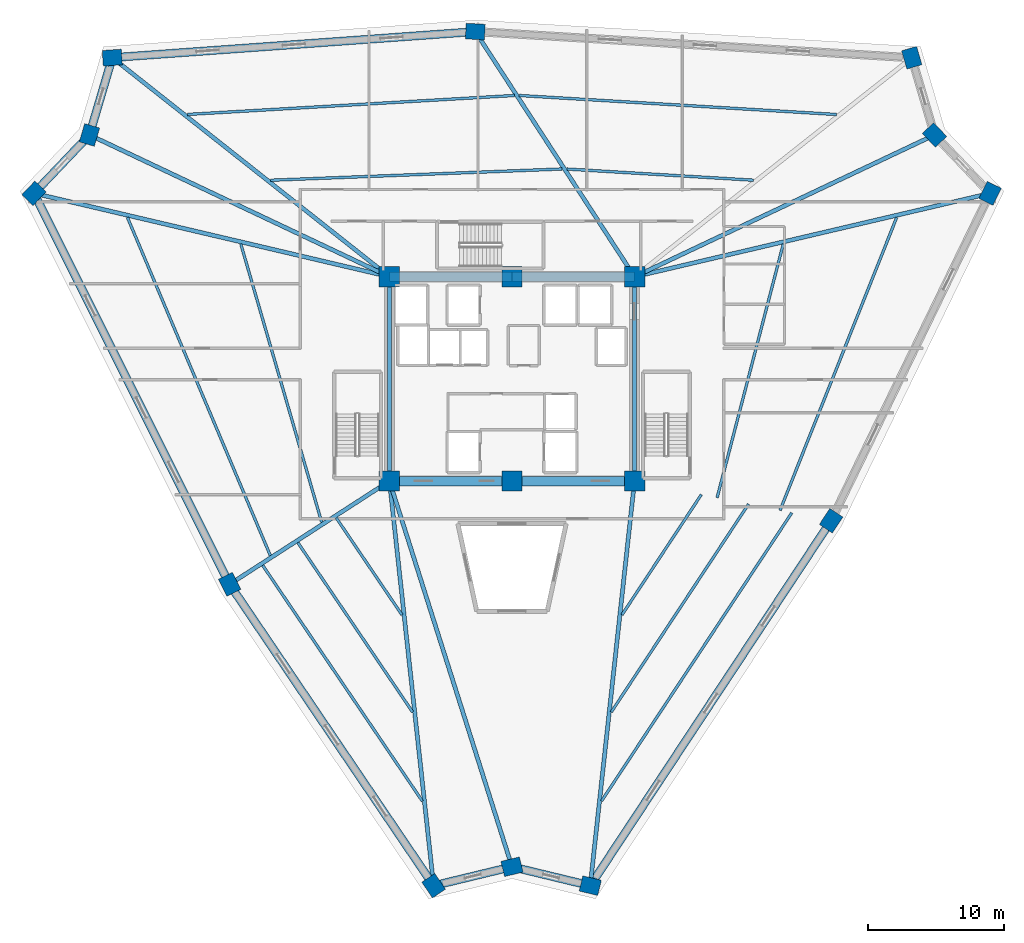
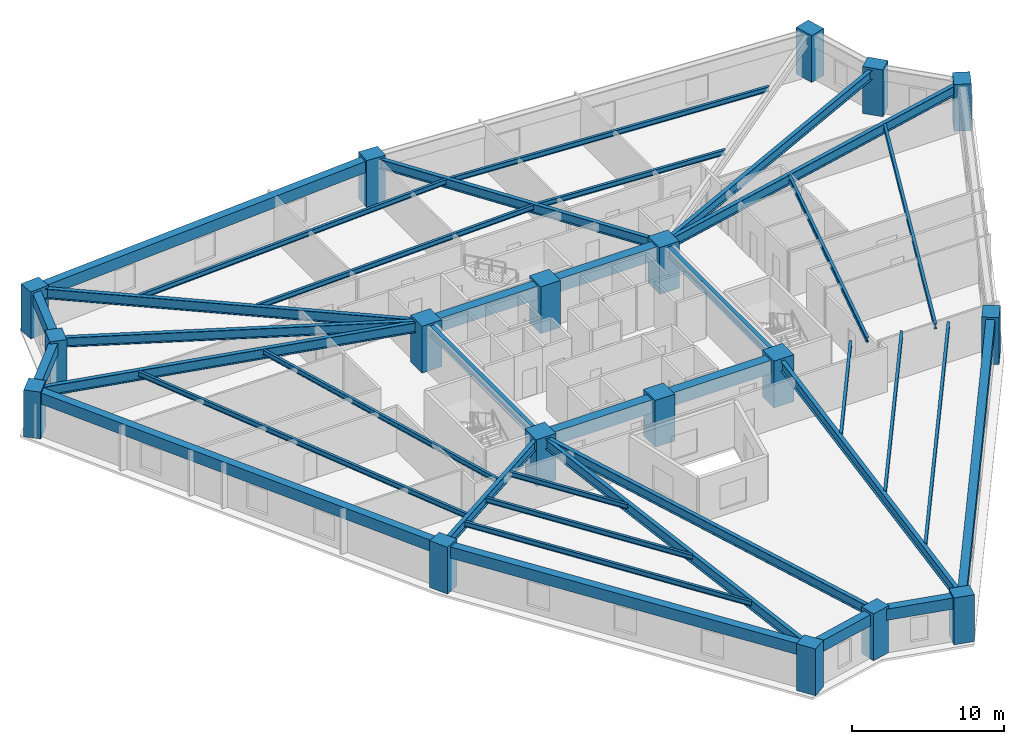
# One storey, part 1 of 8: 38 beams, 18 columns.
"""IFC4 building model written with IfcOpenShell, lengths in metres."""

import ifcopenshell
import ifcopenshell.guid

model = None  # the IFC model being written
_history = None  # IfcOwnerHistory: only IFC2X3 demands one
_inside = {}  # id of a spatial element -> (the spatial element, [elements in it])
_under = {}  # id of a project, library or spatial element -> (it, [spatial elements below it])
_declared = {}  # id of a project -> (the project, [libraries it declares])
_typed = {}  # id of a type object -> (the type object, [elements of that type])
_made_of = {}  # id of a material, layer set ... -> (it, [elements and type objects made of it])


def new_model(schema):
    """Start an empty IFC model of exactly this schema.

    Asked for "IFC4X3", IfcOpenShell would pick the latest addendum, in which some entities
    have other attributes; the version numbers below select the first issue.
    IFC2X3 requires an IfcOwnerHistory on every rooted entity: one is made here for all.
    """
    global model, _history
    if schema == "IFC4X3":
        model = ifcopenshell.file(schema_version=(4, 3, 0, 0))
    else:
        model = ifcopenshell.file(schema=schema)
    _inside.clear()
    _under.clear()
    _declared.clear()
    _typed.clear()
    _made_of.clear()
    _history = None
    if model.schema == "IFC2X3":
        org = make("IfcOrganization", Name="unknown")
        user = make(
            "IfcPersonAndOrganization",
            ThePerson=make("IfcPerson", FamilyName="unknown"),
            TheOrganization=org,
        )
        app = make(
            "IfcApplication",
            ApplicationDeveloper=org,
            Version="unknown",
            ApplicationFullName="unknown",
            ApplicationIdentifier="unknown",
        )
        _history = make(
            "IfcOwnerHistory",
            OwningUser=user,
            OwningApplication=app,
            ChangeAction="ADDED",
            CreationDate=0,
        )
    return model


def make(cls, **values):
    """One entity of the class cls with the attributes given. An attribute that is None is left unset."""
    return model.create_entity(
        cls, **{name: value for name, value in values.items() if value is not None}
    )


def rooted(cls, **values):
    """An entity with a GlobalId (a new one), such as an element, a storey or a relation."""
    return make(cls, GlobalId=ifcopenshell.guid.new(), OwnerHistory=_history, **values)


def si_unit(unit_type, name, prefix=None):
    """IfcSIUnit, for example si_unit("LENGTHUNIT", "METRE", prefix="MILLI")."""
    return make("IfcSIUnit", UnitType=unit_type, Prefix=prefix, Name=name)


def assignment(units):
    """IfcUnitAssignment: the units of a project."""
    return None if units is None else make("IfcUnitAssignment", Units=units)


def point(xyz):
    """IfcCartesianPoint."""
    return None if xyz is None else make("IfcCartesianPoint", Coordinates=xyz)


def direction(xyz):
    """IfcDirection."""
    return None if xyz is None else make("IfcDirection", DirectionRatios=xyz)


def frame(location, z_axis=None, x_axis=None):
    """IfcAxis2Placement3D, a coordinate frame: its origin and axes. An axis left out is left unset."""
    return make(
        "IfcAxis2Placement3D",
        Location=point(location),
        Axis=direction(z_axis),
        RefDirection=direction(x_axis),
    )


def frame_2d(location, x_axis=None):
    """IfcAxis2Placement2D, a coordinate frame in the plane: its origin and x axis."""
    return make(
        "IfcAxis2Placement2D", Location=point(location), RefDirection=direction(x_axis)
    )


def origin():
    """The frame at (0, 0, 0) with its axes left unset."""
    return frame((0.0, 0.0, 0.0))


def origin_2d():
    """The frame at (0, 0) in the plane with its x axis left unset."""
    return frame_2d((0.0, 0.0))


def place(relative_to, where):
    """IfcLocalPlacement: puts the frame where relative to a parent placement (None: the world)."""
    return make(
        "IfcLocalPlacement", PlacementRelTo=relative_to, RelativePlacement=where
    )


def context(
    kind, dimensions, precision=None, world=None, true_north=None, identifier=None
):
    """IfcGeometricRepresentationContext, for example the 3D "Model" context."""
    return make(
        "IfcGeometricRepresentationContext",
        ContextIdentifier=identifier,
        ContextType=kind,
        CoordinateSpaceDimension=dimensions,
        Precision=precision,
        WorldCoordinateSystem=world,
        TrueNorth=true_north,
    )


def subcontext(parent, identifier, kind, view, scale=None):
    """IfcGeometricRepresentationSubContext, for example "Body" below "Model"."""
    return make(
        "IfcGeometricRepresentationSubContext",
        ContextIdentifier=identifier,
        ContextType=kind,
        ParentContext=parent,
        TargetScale=scale,
        TargetView=view,
    )


def project(units=None, contexts=None):
    """IfcProject with its units and contexts."""
    return rooted(
        "IfcProject",
        Name="project",
        RepresentationContexts=contexts,
        UnitsInContext=assignment(units),
    )


def spatial(cls, under=None, at=None, **own):
    """A site, building, storey or space (cls), placed at a placement, below another one or the project."""
    s = rooted(cls, ObjectPlacement=at, **own)
    if under is not None:
        _under.setdefault(under.id(), (under, []))[1].append(s)
    return s


def profile(cls, at=None, kind="AREA", **sizes):
    """A parametric profile (cls). Its sizes go by their IFC names, for example OverallWidth=200.0."""
    return make(cls, ProfileType=kind, Position=at, **sizes)


def rectangle(**sizes):
    """IfcRectangleProfileDef."""
    return profile("IfcRectangleProfileDef", **sizes)


def i_section(**sizes):
    """IfcIShapeProfileDef."""
    return profile("IfcIShapeProfileDef", **sizes)


def extrude(swept, where, along, depth):
    """IfcExtrudedAreaSolid: the profile swept, set in the frame where, extruded along a direction by depth."""
    return make(
        "IfcExtrudedAreaSolid",
        SweptArea=swept,
        Position=where,
        ExtrudedDirection=direction(along),
        Depth=depth,
    )


def shape(context_of_items, identifier, shape_type, items):
    """IfcShapeRepresentation: the items that make up one representation, for example the "Body"."""
    return make(
        "IfcShapeRepresentation",
        ContextOfItems=context_of_items,
        RepresentationIdentifier=identifier,
        RepresentationType=shape_type,
        Items=items,
    )


def source(mapping_origin, context_of_items, identifier, shape_type, items):
    """IfcRepresentationMap: a shape defined once, which mapped items show again and again."""
    return make(
        "IfcRepresentationMap",
        MappingOrigin=mapping_origin,
        MappedRepresentation=shape(context_of_items, identifier, shape_type, items),
    )


def transform(
    local_origin,
    x_axis=None,
    y_axis=None,
    z_axis=None,
    scale=None,
    scale2=None,
    scale3=None,
    uniform=True,
):
    """IfcCartesianTransformationOperator3D, or its non-uniform kind. x_axis, y_axis, z_axis: its Axis1, 2, 3."""
    if uniform:
        return make(
            "IfcCartesianTransformationOperator3D",
            Axis1=direction(x_axis),
            Axis2=direction(y_axis),
            LocalOrigin=point(local_origin),
            Scale=scale,
            Axis3=direction(z_axis),
        )
    return make(
        "IfcCartesianTransformationOperator3DnonUniform",
        Axis1=direction(x_axis),
        Axis2=direction(y_axis),
        LocalOrigin=point(local_origin),
        Scale=scale,
        Axis3=direction(z_axis),
        Scale2=scale2,
        Scale3=scale3,
    )


def mapped(mapping_source, mapping_target):
    """IfcMappedItem: shows the shape of a source again, moved by a transform."""
    return make(
        "IfcMappedItem", MappingSource=mapping_source, MappingTarget=mapping_target
    )


def material(Name=None, Category=None):
    """IfcMaterial."""
    return make("IfcMaterial", Name=Name, Category=Category)


def material_profile(
    of_material, cross_section, Name=None, Category=None, Priority=None
):
    """IfcMaterialProfile: a cross section and its material."""
    return make(
        "IfcMaterialProfile",
        Name=Name,
        Material=of_material,
        Profile=cross_section,
        Priority=Priority,
        Category=Category,
    )


def profile_set(profiles, Name=None, composite=None):
    """IfcMaterialProfileSet."""
    return make(
        "IfcMaterialProfileSet",
        Name=Name,
        MaterialProfiles=profiles,
        CompositeProfile=composite,
    )


def made_of(thing, what):
    """Note that an element or type object is made of a material, layer set ...; save() writes the relation."""
    if what is not None:
        _made_of.setdefault(what.id(), (what, []))[1].append(thing)
    return thing


def type_object(cls, material=None, **own):
    """A type object (cls), such as IfcWallType, which elements share."""
    return made_of(rooted(cls, **own), material)


def element(
    cls,
    number,
    at=None,
    inside=None,
    cuts=None,
    type_object=None,
    material=None,
    context=None,
    identifier="Body",
    shape_type=None,
    held_by="IfcProductDefinitionShape",
    body=None,
    shapes=None,
    **own,
):
    """One element of the class cls, such as IfcWall. Its Tag is "e" and its number.

    at: its placement. inside: the storey or other place that contains it. cuts: it is an
    opening in that element (IfcRelVoidsElement). A single representation is given by context,
    identifier, shape_type and body (its items); several are given by shapes. held_by: the class
    of the entity that holds the representations. save() writes the other relations.
    """
    e = rooted(cls, Tag="e%d" % number, ObjectPlacement=at, **own)
    if body is not None:
        shapes = [shape(context, identifier, shape_type, body)]
    if shapes is not None:
        e.Representation = make(held_by, Representations=shapes)
    if inside is not None:
        _inside.setdefault(inside.id(), (inside, []))[1].append(e)
    if cuts is not None:
        rooted(
            "IfcRelVoidsElement", RelatingBuildingElement=cuts, RelatedOpeningElement=e
        )
    if type_object is not None:
        _typed.setdefault(type_object.id(), (type_object, []))[1].append(e)
    return made_of(e, material)


def aggregate(whole, parts):
    """IfcRelAggregates: a whole, such as a stair, and the parts it consists of."""
    return rooted("IfcRelAggregates", RelatingObject=whole, RelatedObjects=parts)


def save(model, path):
    """Write the relations noted so far, then the file.

    IfcRelAggregates (storeys below a building ...), IfcRelContainedInSpatialStructure (elements
    in a storey), IfcRelDefinesByType, IfcRelAssociatesMaterial and IfcRelDeclares: one each for
    every whole, place, type object, material and project.
    """
    for whole, parts in _under.values():
        aggregate(whole, parts)
    for where, things in _inside.values():
        rooted(
            "IfcRelContainedInSpatialStructure",
            RelatedElements=things,
            RelatingStructure=where,
        )
    for kind, things in _typed.values():
        rooted("IfcRelDefinesByType", RelatedObjects=things, RelatingType=kind)
    for what, things in _made_of.values():
        rooted("IfcRelAssociatesMaterial", RelatedObjects=things, RelatingMaterial=what)
    for by, libraries in _declared.values():
        rooted("IfcRelDeclares", RelatingContext=by, RelatedDefinitions=libraries)
    model.write(path)


model = new_model("IFC4")

# Units and contexts
model_context = context("Model", 3, precision=1e-05, world=origin(), true_north=direction((0.0, 1.0)))
body_context = subcontext(model_context, "Body", "Model", "MODEL_VIEW")
ifc_project = project(units=[si_unit("LENGTHUNIT", "METRE"), si_unit("AREAUNIT", "SQUARE_METRE"), si_unit("VOLUMEUNIT", "CUBIC_METRE"), si_unit("PLANEANGLEUNIT", "RADIAN"), si_unit("MASSUNIT", "GRAM", prefix="KILO")], contexts=[model_context])

# Site, building, storey
site_placement = place(None, origin())
site = spatial("IfcSite", under=ifc_project, at=site_placement, CompositionType="ELEMENT")
building_placement = place(site_placement, origin())
building = spatial("IfcBuilding", under=site, at=building_placement, Name="Liaohun Quay Tower", CompositionType="ELEMENT")
storey_placement = place(building_placement, frame((0.0, 0.0, 159.0)))
storey = spatial("IfcBuildingStorey", under=building, at=storey_placement, Name="L41", CompositionType="ELEMENT", Elevation=159.0)

# Columns
ifc_material_1 = material(Name="Concrete C60", Category="concrete")
ifc_material_profile_1 = material_profile(ifc_material_1, rectangle(XDim=1.5, YDim=1.5, at=origin_2d()), Name="RC1500x1500")
ifc_profile_set_1 = profile_set([ifc_material_profile_1], Name="Concrete C60")
column_type_1 = type_object("IfcColumnType", Name="COL-CC-Z2", PredefinedType="COLUMN", material=ifc_profile_set_1)
shared_shape_1 = source(origin(), body_context, "Body", "SweptSolid", [
    extrude(rectangle(XDim=1.5, YDim=1.5, at=origin_2d()), origin(), (0.0, 0.0, 1.0), 3.75),
])
for number, where, z_axis, x_axis, name in (
    (1, (51.0, 46.5, 0.0), (0.0, 0.0, 1.0), (1.0, 0.0, 0.0), "L41 Core Column CC1"),
    (2, (60.0, 46.5, 0.0), (0.0, 0.0, 1.0), (1.0, 0.0, 0.0), "L41 Core Column CC2"),
    (3, (69.0, 46.5, 0.0), (0.0, 0.0, 1.0), (1.0, 0.0, 0.0), "L41 Core Column CC3"),
    (4, (69.0, 61.5, 0.0), (0.0, 0.0, 1.0), (1.0, 0.0, 0.0), "L41 Core Column CC4"),
    (5, (60.0, 61.5, 0.0), (0.0, 0.0, 1.0), (1.0, 0.0, 0.0), "L41 Core Column CC5"),
    (6, (51.0, 61.5, 0.0), (0.0, 0.0, 1.0), (1.0, 0.0, 0.0), "L41 Core Column CC6"),
):
    element("IfcColumn", number, at=place(storey_placement, frame(where, z_axis=z_axis, x_axis=x_axis)), inside=storey, type_object=column_type_1, Name=name, PredefinedType="COLUMN", context=body_context, shape_type="MappedRepresentation", body=[
        mapped(shared_shape_1, transform((0.0, 0.0, 0.0), x_axis=(1.0, 0.0, 0.0), y_axis=(0.0, 1.0, 0.0), z_axis=(0.0, 0.0, 1.0), scale=1.0)),
    ])
ifc_material_profile_2 = material_profile(ifc_material_1, rectangle(XDim=1.39990234375, YDim=1.14990234375, at=origin_2d()), Name="RC1400x1150")
ifc_profile_set_2 = profile_set([ifc_material_profile_2], Name="Concrete C60")
column_type_2 = type_object("IfcColumnType", Name="COL-PIER-Z2", PredefinedType="COLUMN", material=ifc_profile_set_2)
shared_shape_2 = source(origin(), body_context, "Body", "SweptSolid", [
    extrude(rectangle(XDim=1.39990234375, YDim=1.14990234375, at=origin_2d()), origin(), (0.0, 0.0, 1.0), 3.75),
])
for number, where, z_axis, x_axis, name in (
    (7, (54.2451171875, 16.781982421875, 0.0), (0.0, 0.0, 1.0), (-0.560638994563, 0.828060334622, 0.0), "L41 Perimeter Pier PC01"),
    (8, (39.260009765625, 38.9130859375, 0.0), (0.0, 0.0, 1.0), (-0.447290848419, 0.89438856037, 0.0), "L41 Perimeter Pier PC02"),
    (9, (24.89501953125, 67.631103515625, 0.0), (0.0, 0.0, 1.0), (0.68936671806, 0.724412539946, 0.0), "L41 Perimeter Pier PC03"),
    (10, (28.970947265625, 71.9150390625, 0.0), (0.0, 0.0, 1.0), (0.282676303383, 0.959215360337, 0.0), "L41 Perimeter Pier PC04"),
    (11, (30.64501953125, 77.592041015625, 0.0), (0.0, 0.0, 1.0), (0.997440782931, 0.071497444333, 0.0), "L41 Perimeter Pier PC05"),
    (12, (57.304931640625, 79.5048828125, 0.0), (0.0, 0.0, 1.0), (-0.998208638344, 0.059829042574, 0.0), "L41 Perimeter Pier PC06"),
    (13, (89.35693359375, 77.5849609375, 0.0), (0.0, 0.0, 1.0), (-0.282676303383, 0.959215360337, 0.0), "L41 Perimeter Pier PC07"),
    (14, (91.029052734375, 71.9150390625, 0.0), (0.0, 0.0, 1.0), (-0.68936671806, 0.724412539946, 0.0), "L41 Perimeter Pier PC08"),
    (15, (95.110107421875, 67.6259765625, 0.0), (0.0, 0.0, 1.0), (0.436801788368, 0.899557778955, 0.0), "L41 Perimeter Pier PC09"),
    (16, (83.43603515625, 43.58203125, 0.0), (0.0, 0.0, 1.0), (0.550917789925, 0.834559517796, 0.0), "L41 Perimeter Pier PC10"),
    (17, (65.7470703125, 16.782958984375, 0.0), (0.0, 0.0, 1.0), (-0.972043021443, 0.234802820391, 0.0), "L41 Perimeter Pier PC11"),
    (18, (60.0, 18.1708984375, 0.0), (0.0, 0.0, 1.0), (0.972043021443, 0.234802820391, 0.0), "L41 Perimeter Pier PC12"),
):
    element("IfcColumn", number, at=place(storey_placement, frame(where, z_axis=z_axis, x_axis=x_axis)), inside=storey, type_object=column_type_2, Name=name, PredefinedType="COLUMN", context=body_context, shape_type="MappedRepresentation", body=[
        mapped(shared_shape_2, transform((0.0, 0.0, 0.0), x_axis=(1.0, 0.0, 0.0), y_axis=(0.0, 1.0, 0.0), z_axis=(0.0, 0.0, 1.0), scale=1.0)),
    ])

# Beams
ifc_material_profile_3 = material_profile(ifc_material_1, rectangle(XDim=0.699951171875, YDim=1.050048828125, at=origin_2d()), Name="RC700x1050")
ifc_profile_set_3 = profile_set([ifc_material_profile_3], Name="Concrete C60")
beam_type_1 = type_object("IfcBeamType", Name="BM-CPL-1", PredefinedType="LINTEL", material=ifc_profile_set_3)
shared_shape_3 = source(origin(), body_context, "Body", "SweptSolid", [
    extrude(rectangle(XDim=0.699951171875, YDim=1.050048828125, at=origin_2d()), origin(), (0.0, 0.0, 1.0), 9.0),
])
for number, where, z_axis, x_axis, name in (
    (19, (51.0, 46.5, 3.044921875), (1.0, 0.0, 0.0), (0.0, 1.0, 0.0), "L41 Core Coupling/Ring Beam CC1-CC2"),
    (20, (60.0, 46.5, 3.044921875), (1.0, 0.0, 0.0), (0.0, 1.0, 0.0), "L41 Core Coupling/Ring Beam CC2-CC3"),
    (21, (69.0, 61.5, 3.044921875), (-1.0, 0.0, 0.0), (0.0, -1.0, 0.0), "L41 Core Coupling/Ring Beam CC4-CC5"),
    (22, (60.0, 61.5, 3.044921875), (-1.0, 0.0, 0.0), (0.0, -1.0, 0.0), "L41 Core Coupling/Ring Beam CC5-CC6"),
):
    element("IfcBeam", number, at=place(storey_placement, frame(where, z_axis=z_axis, x_axis=x_axis)), inside=storey, type_object=beam_type_1, Name=name, PredefinedType="LINTEL", context=body_context, shape_type="MappedRepresentation", body=[
        mapped(shared_shape_3, transform((0.0, 0.0, 0.0), x_axis=(1.0, 0.0, 0.0), y_axis=(0.0, 1.0, 0.0), z_axis=(0.0, 0.0, 1.0), scale=1.0)),
    ])
ifc_material_2 = material(Name="Steel Q355D", Category="steel")
ifc_material_profile_4 = material_profile(ifc_material_2, i_section(OverallWidth=0.300048828125, OverallDepth=0.800048828125, WebThickness=0.013916015625, FlangeThickness=0.02587890625, at=origin_2d()), Name="HN800x300x14x26")
ifc_profile_set_4 = profile_set([ifc_material_profile_4], Name="Steel Q355D")
beam_type_2 = type_object("IfcBeamType", Name="BM-RAD-M1", PredefinedType="BEAM", material=ifc_profile_set_4)
shared_shape_4 = source(origin(), body_context, "Body", "SweptSolid", [
    extrude(i_section(OverallWidth=0.300048828125, OverallDepth=0.800048828125, WebThickness=0.013916015625, FlangeThickness=0.02587890625, at=origin_2d()), origin(), (0.0, 0.0, 1.0), 15.0),
])
for number, where, z_axis, x_axis, name in (
    (23, (69.0, 46.5, 3.169921875), (0.0, 1.0, 0.0), (-1.0, 0.0, 0.0), "L41 Core Coupling/Ring Beam CC3-CC4"),
    (24, (51.0, 61.5, 3.169921875), (0.0, -1.0, 0.0), (1.0, 0.0, 0.0), "L41 Core Coupling/Ring Beam CC6-CC1"),
):
    element("IfcBeam", number, at=place(storey_placement, frame(where, z_axis=z_axis, x_axis=x_axis)), inside=storey, type_object=beam_type_2, Name=name, PredefinedType="BEAM", context=body_context, shape_type="MappedRepresentation", body=[
        mapped(shared_shape_4, transform((0.0, 0.0, 0.0), x_axis=(1.0, 0.0, 0.0), y_axis=(0.0, 1.0, 0.0), z_axis=(0.0, 0.0, 1.0), scale=1.0)),
    ])
shared_shape_5 = source(origin(), body_context, "Body", "SweptSolid", [
    extrude(i_section(OverallWidth=0.300048828125, OverallDepth=0.800048828125, WebThickness=0.013916015625, FlangeThickness=0.02587890625, at=origin_2d()), origin(), (0.0, 0.0, 1.0), 29.894775390625),
])
beam_1_placement = place(storey_placement, frame((51.0, 46.5, 3.169921875), z_axis=(0.108551694289, -0.994090805544, 0.0), x_axis=(0.994090805544, 0.108551694289, 0.0)))
element("IfcBeam", 25, at=beam_1_placement, inside=storey, type_object=beam_type_2, Name="L41 Radial Primary Girder CC1-PC01", PredefinedType="BEAM", context=body_context, shape_type="MappedRepresentation", body=[
    mapped(shared_shape_5, transform((0.0, 0.0, 0.0), x_axis=(1.0, 0.0, 0.0), y_axis=(0.0, 1.0, 0.0), z_axis=(0.0, 0.0, 1.0), scale=1.0)),
])
ifc_material_profile_5 = material_profile(ifc_material_2, i_section(OverallWidth=0.300048828125, OverallDepth=0.75, WebThickness=0.013916015625, FlangeThickness=0.02587890625, at=origin_2d()), Name="HN750x300x14x26")
ifc_profile_set_5 = profile_set([ifc_material_profile_5], Name="Steel Q355D")
beam_type_3 = type_object("IfcBeamType", Name="BM-RAD-M2", PredefinedType="BEAM", material=ifc_profile_set_5)
shared_shape_6 = source(origin(), body_context, "Body", "SweptSolid", [
    extrude(i_section(OverallWidth=0.300048828125, OverallDepth=0.75, WebThickness=0.013916015625, FlangeThickness=0.02587890625, at=origin_2d()), origin(), (0.0, 0.0, 1.0), 13.97802734375),
])
beam_2_placement = place(storey_placement, frame((51.0, 46.5, 3.195068359375), z_axis=(-0.839881635837, -0.54276959917, 0.0), x_axis=(0.54276959917, -0.839881635837, 0.0)))
element("IfcBeam", 26, at=beam_2_placement, inside=storey, type_object=beam_type_3, Name="L41 Radial Primary Girder CC1-PC02", PredefinedType="BEAM", context=body_context, shape_type="MappedRepresentation", body=[
    mapped(shared_shape_6, transform((0.0, 0.0, 0.0), x_axis=(1.0, 0.0, 0.0), y_axis=(0.0, 1.0, 0.0), z_axis=(0.0, 0.0, 1.0), scale=1.0)),
])
shared_shape_7 = source(origin(), body_context, "Body", "SweptSolid", [
    extrude(i_section(OverallWidth=0.300048828125, OverallDepth=0.800048828125, WebThickness=0.013916015625, FlangeThickness=0.02587890625, at=origin_2d()), origin(), (0.0, 0.0, 1.0), 26.815185546875),
])
beam_3_placement = place(storey_placement, frame((51.0, 61.5, 3.169921875), z_axis=(-0.973510580273, 0.228641969235, 0.0), x_axis=(-0.228641969235, -0.973510580273, 0.0)))
element("IfcBeam", 27, at=beam_3_placement, inside=storey, type_object=beam_type_2, Name="L41 Radial Primary Girder CC6-PC03", PredefinedType="BEAM", context=body_context, shape_type="MappedRepresentation", body=[
    mapped(shared_shape_7, transform((0.0, 0.0, 0.0), x_axis=(1.0, 0.0, 0.0), y_axis=(0.0, 1.0, 0.0), z_axis=(0.0, 0.0, 1.0), scale=1.0)),
])
shared_shape_8 = source(origin(), body_context, "Body", "SweptSolid", [
    extrude(i_section(OverallWidth=0.300048828125, OverallDepth=0.75, WebThickness=0.013916015625, FlangeThickness=0.02587890625, at=origin_2d()), origin(), (0.0, 0.0, 1.0), 24.366943359375),
])
for number, where, z_axis, x_axis, name in (
    (28, (51.0, 61.5, 3.195068359375), (-0.904051571704, 0.427423391616, 0.0), (-0.427423391616, -0.904051571704, 0.0), "L41 Radial Primary Girder CC6-PC04"),
    (29, (69.0, 61.5, 3.195068359375), (0.904051571704, 0.427423391616, 0.0), (-0.427423391616, 0.904051571704, 0.0), "L41 Radial Primary Girder CC4-PC08"),
):
    element("IfcBeam", number, at=place(storey_placement, frame(where, z_axis=z_axis, x_axis=x_axis)), inside=storey, type_object=beam_type_3, Name=name, PredefinedType="BEAM", context=body_context, shape_type="MappedRepresentation", body=[
        mapped(shared_shape_8, transform((0.0, 0.0, 0.0), x_axis=(1.0, 0.0, 0.0), y_axis=(0.0, 1.0, 0.0), z_axis=(0.0, 0.0, 1.0), scale=1.0)),
    ])
shared_shape_9 = source(origin(), body_context, "Body", "SweptSolid", [
    extrude(i_section(OverallWidth=0.300048828125, OverallDepth=0.800048828125, WebThickness=0.013916015625, FlangeThickness=0.02587890625, at=origin_2d()), origin(), (0.0, 0.0, 1.0), 25.947509765625),
])
beam_4_placement = place(storey_placement, frame((51.0, 61.5, 3.169921875), z_axis=(-0.784464240313, 0.620174052723, 0.0), x_axis=(-0.620174052723, -0.784464240313, 0.0)))
element("IfcBeam", 30, at=beam_4_placement, inside=storey, type_object=beam_type_2, Name="L41 Radial Primary Girder CC6-PC05", PredefinedType="BEAM", context=body_context, shape_type="MappedRepresentation", body=[
    mapped(shared_shape_9, transform((0.0, 0.0, 0.0), x_axis=(1.0, 0.0, 0.0), y_axis=(0.0, 1.0, 0.0), z_axis=(0.0, 0.0, 1.0), scale=1.0)),
])
shared_shape_10 = source(origin(), body_context, "Body", "SweptSolid", [
    extrude(i_section(OverallWidth=0.300048828125, OverallDepth=0.75, WebThickness=0.013916015625, FlangeThickness=0.02587890625, at=origin_2d()), origin(), (0.0, 0.0, 1.0), 21.4697265625),
])
beam_5_placement = place(storey_placement, frame((69.0, 61.5, 3.195068359375), z_axis=(-0.544722924618, 0.838616083435, 0.0), x_axis=(-0.838616083435, -0.544722924618, 0.0)))
element("IfcBeam", 31, at=beam_5_placement, inside=storey, type_object=beam_type_3, Name="L41 Radial Primary Girder CC4-PC06", PredefinedType="BEAM", context=body_context, shape_type="MappedRepresentation", body=[
    mapped(shared_shape_10, transform((0.0, 0.0, 0.0), x_axis=(1.0, 0.0, 0.0), y_axis=(0.0, 1.0, 0.0), z_axis=(0.0, 0.0, 1.0), scale=1.0)),
])
shared_shape_11 = source(origin(), body_context, "Body", "SweptSolid", [
    extrude(i_section(OverallWidth=0.300048828125, OverallDepth=0.800048828125, WebThickness=0.013916015625, FlangeThickness=0.02587890625, at=origin_2d()), origin(), (0.0, 0.0, 1.0), 26.819091796875),
])
beam_6_placement = place(storey_placement, frame((69.0, 61.5, 3.169921875), z_axis=(0.973563099437, 0.228418237922, 0.0), x_axis=(-0.228418237922, 0.973563099437, 0.0)))
element("IfcBeam", 32, at=beam_6_placement, inside=storey, type_object=beam_type_2, Name="L41 Radial Primary Girder CC4-PC09", PredefinedType="BEAM", context=body_context, shape_type="MappedRepresentation", body=[
    mapped(shared_shape_11, transform((0.0, 0.0, 0.0), x_axis=(1.0, 0.0, 0.0), y_axis=(0.0, 1.0, 0.0), z_axis=(0.0, 0.0, 1.0), scale=1.0)),
])
shared_shape_12 = source(origin(), body_context, "Body", "SweptSolid", [
    extrude(i_section(OverallWidth=0.300048828125, OverallDepth=0.800048828125, WebThickness=0.013916015625, FlangeThickness=0.02587890625, at=origin_2d()), origin(), (0.0, 0.0, 1.0), 29.89453125),
])
beam_7_placement = place(storey_placement, frame((69.0, 46.5, 3.169921875), z_axis=(-0.108813471449, -0.994062185395, 0.0), x_axis=(0.994062185395, -0.108813471449, 0.0)))
element("IfcBeam", 33, at=beam_7_placement, inside=storey, type_object=beam_type_2, Name="L41 Radial Primary Girder CC3-PC11", PredefinedType="BEAM", context=body_context, shape_type="MappedRepresentation", body=[
    mapped(shared_shape_12, transform((0.0, 0.0, 0.0), x_axis=(1.0, 0.0, 0.0), y_axis=(0.0, 1.0, 0.0), z_axis=(0.0, 0.0, 1.0), scale=1.0)),
])
shared_shape_13 = source(origin(), body_context, "Body", "SweptSolid", [
    extrude(i_section(OverallWidth=0.300048828125, OverallDepth=0.75, WebThickness=0.013916015625, FlangeThickness=0.02587890625, at=origin_2d()), origin(), (0.0, 0.0, 1.0), 29.724365234375),
])
beam_8_placement = place(storey_placement, frame((51.0, 46.5, 3.195068359375), z_axis=(0.302781889044, -0.953059876223, 0.0), x_axis=(0.953059876223, 0.302781889044, 0.0)))
element("IfcBeam", 34, at=beam_8_placement, inside=storey, type_object=beam_type_3, Name="L41 Radial Primary Girder CC1-PC12", PredefinedType="BEAM", context=body_context, shape_type="MappedRepresentation", body=[
    mapped(shared_shape_13, transform((0.0, 0.0, 0.0), x_axis=(1.0, 0.0, 0.0), y_axis=(0.0, 1.0, 0.0), z_axis=(0.0, 0.0, 1.0), scale=1.0)),
])
ifc_material_profile_6 = material_profile(ifc_material_2, i_section(OverallWidth=0.199951171875, OverallDepth=0.39990234375, WebThickness=0.008056640625, FlangeThickness=0.012939453125, at=origin_2d()), Name="HN400x200x8x13")
ifc_profile_set_6 = profile_set([ifc_material_profile_6], Name="Steel Q355D")
beam_type_4 = type_object("IfcBeamType", Name="BM-SEC-J2", PredefinedType="JOIST", material=ifc_profile_set_6)
shared_shape_14 = source(origin(), body_context, "Body", "SweptSolid", [
    extrude(i_section(OverallWidth=0.199951171875, OverallDepth=0.39990234375, WebThickness=0.008056640625, FlangeThickness=0.012939453125, at=origin_2d()), origin(), (0.0, 0.0, 1.0), 8.615234375),
])
beam_9_placement = place(storey_placement, frame((51.923095703125, 36.662109375, 3.3701171875), z_axis=(-0.560650123025, 0.828052799979, 0.0), x_axis=(-0.828052799979, -0.560650123025, 0.0)))
element("IfcBeam", 35, at=beam_9_placement, inside=storey, type_object=beam_type_4, Name="L41 Wing Secondary Floor Joist SJ-01", PredefinedType="JOIST", context=body_context, shape_type="MappedRepresentation", body=[
    mapped(shared_shape_14, transform((0.0, 0.0, 0.0), x_axis=(1.0, 0.0, 0.0), y_axis=(0.0, 1.0, 0.0), z_axis=(0.0, 0.0, 1.0), scale=1.0)),
])
shared_shape_15 = source(origin(), body_context, "Body", "SweptSolid", [
    extrude(i_section(OverallWidth=0.199951171875, OverallDepth=0.39990234375, WebThickness=0.008056640625, FlangeThickness=0.012939453125, at=origin_2d()), origin(), (0.0, 0.0, 1.0), 15.030517578125),
])
beam_10_placement = place(storey_placement, frame((52.701904296875, 29.529052734375, 3.3701171875), z_axis=(-0.560657061526, 0.828048102081, 0.0), x_axis=(-0.828048102081, -0.560657061526, 0.0)))
element("IfcBeam", 36, at=beam_10_placement, inside=storey, type_object=beam_type_4, Name="L41 Wing Secondary Floor Joist SJ-02", PredefinedType="JOIST", context=body_context, shape_type="MappedRepresentation", body=[
    mapped(shared_shape_15, transform((0.0, 0.0, 0.0), x_axis=(1.0, 0.0, 0.0), y_axis=(0.0, 1.0, 0.0), z_axis=(0.0, 0.0, 1.0), scale=1.0)),
])
shared_shape_16 = source(origin(), body_context, "Body", "SweptSolid", [
    extrude(i_section(OverallWidth=0.199951171875, OverallDepth=0.39990234375, WebThickness=0.008056640625, FlangeThickness=0.012939453125, at=origin_2d()), origin(), (0.0, 0.0, 1.0), 20.910888671875),
])
beam_11_placement = place(storey_placement, frame((53.416015625, 22.990966796875, 3.3701171875), z_axis=(-0.560672586266, 0.828037590336, 0.0), x_axis=(-0.828037590336, -0.560672586266, 0.0)))
element("IfcBeam", 37, at=beam_11_placement, inside=storey, type_object=beam_type_4, Name="L41 Wing Secondary Floor Joist SJ-03", PredefinedType="JOIST", context=body_context, shape_type="MappedRepresentation", body=[
    mapped(shared_shape_16, transform((0.0, 0.0, 0.0), x_axis=(1.0, 0.0, 0.0), y_axis=(0.0, 1.0, 0.0), z_axis=(0.0, 0.0, 1.0), scale=1.0)),
])
shared_shape_17 = source(origin(), body_context, "Body", "SweptSolid", [
    extrude(i_section(OverallWidth=0.199951171875, OverallDepth=0.39990234375, WebThickness=0.008056640625, FlangeThickness=0.012939453125, at=origin_2d()), origin(), (0.0, 0.0, 1.0), 21.291748046875),
])
beam_12_placement = place(storey_placement, frame((46.02587890625, 43.464111328125, 3.3701171875), z_axis=(-0.279070810069, 0.960270525929, 0.0), x_axis=(-0.960270525929, -0.279070810069, 0.0)))
element("IfcBeam", 38, at=beam_12_placement, inside=storey, type_object=beam_type_4, Name="L41 Wing Secondary Floor Joist SJ-04", PredefinedType="JOIST", context=body_context, shape_type="MappedRepresentation", body=[
    mapped(shared_shape_17, transform((0.0, 0.0, 0.0), x_axis=(1.0, 0.0, 0.0), y_axis=(0.0, 1.0, 0.0), z_axis=(0.0, 0.0, 1.0), scale=1.0)),
])
shared_shape_18 = source(origin(), body_context, "Body", "SweptSolid", [
    extrude(i_section(OverallWidth=0.199951171875, OverallDepth=0.39990234375, WebThickness=0.008056640625, FlangeThickness=0.012939453125, at=origin_2d()), origin(), (0.0, 0.0, 1.0), 26.96728515625),
])
beam_13_placement = place(storey_placement, frame((42.2529296875, 41.02587890625, 3.3701171875), z_axis=(-0.389287035607, 0.921116498554, 0.0), x_axis=(-0.921116498554, -0.389287035607, 0.0)))
element("IfcBeam", 39, at=beam_13_placement, inside=storey, type_object=beam_type_4, Name="L41 Wing Secondary Floor Joist SJ-05", PredefinedType="JOIST", context=body_context, shape_type="MappedRepresentation", body=[
    mapped(shared_shape_18, transform((0.0, 0.0, 0.0), x_axis=(1.0, 0.0, 0.0), y_axis=(0.0, 1.0, 0.0), z_axis=(0.0, 0.0, 1.0), scale=1.0)),
])
shared_shape_19 = source(origin(), body_context, "Body", "SweptSolid", [
    extrude(i_section(OverallWidth=0.199951171875, OverallDepth=0.39990234375, WebThickness=0.008056640625, FlangeThickness=0.012939453125, at=origin_2d()), origin(), (0.0, 0.0, 1.0), 21.421875),
])
beam_14_placement = place(storey_placement, frame((42.27392578125, 68.589111328125, 3.3701171875), z_axis=(0.999256470425, 0.038555237166, 0.0), x_axis=(-0.038555237166, 0.999256470425, 0.0)))
element("IfcBeam", 40, at=beam_14_placement, inside=storey, type_object=beam_type_4, Name="L41 Wing Secondary Floor Joist SJ-06", PredefinedType="JOIST", context=body_context, shape_type="MappedRepresentation", body=[
    mapped(shared_shape_19, transform((0.0, 0.0, 0.0), x_axis=(1.0, 0.0, 0.0), y_axis=(0.0, 1.0, 0.0), z_axis=(0.0, 0.0, 1.0), scale=1.0)),
])
shared_shape_20 = source(origin(), body_context, "Body", "SweptSolid", [
    extrude(i_section(OverallWidth=0.199951171875, OverallDepth=0.39990234375, WebThickness=0.008056640625, FlangeThickness=0.012939453125, at=origin_2d()), origin(), (0.0, 0.0, 1.0), 24.05029296875),
])
beam_15_placement = place(storey_placement, frame((36.1630859375, 73.4208984375, 3.3701171875), z_axis=(0.998321063897, 0.05792282262, 0.0), x_axis=(-0.05792282262, 0.998321063897, 0.0)))
element("IfcBeam", 41, at=beam_15_placement, inside=storey, type_object=beam_type_4, Name="L41 Wing Secondary Floor Joist SJ-07", PredefinedType="JOIST", context=body_context, shape_type="MappedRepresentation", body=[
    mapped(shared_shape_20, transform((0.0, 0.0, 0.0), x_axis=(1.0, 0.0, 0.0), y_axis=(0.0, 1.0, 0.0), z_axis=(0.0, 0.0, 1.0), scale=1.0)),
])
shared_shape_21 = source(origin(), body_context, "Body", "SweptSolid", [
    extrude(i_section(OverallWidth=0.199951171875, OverallDepth=0.39990234375, WebThickness=0.008056640625, FlangeThickness=0.012939453125, at=origin_2d()), origin(), (0.0, 0.0, 1.0), 13.71630859375),
])
beam_16_placement = place(storey_placement, frame((64.0400390625, 69.410888671875, 3.3701171875), z_axis=(0.998212201621, -0.059769561946, 0.0), x_axis=(0.059769561946, 0.998212201621, 0.0)))
element("IfcBeam", 42, at=beam_16_placement, inside=storey, type_object=beam_type_4, Name="L41 Wing Secondary Floor Joist SJ-08", PredefinedType="JOIST", context=body_context, shape_type="MappedRepresentation", body=[
    mapped(shared_shape_21, transform((0.0, 0.0, 0.0), x_axis=(1.0, 0.0, 0.0), y_axis=(0.0, 1.0, 0.0), z_axis=(0.0, 0.0, 1.0), scale=1.0)),
])
shared_shape_22 = source(origin(), body_context, "Body", "SweptSolid", [
    extrude(i_section(OverallWidth=0.199951171875, OverallDepth=0.39990234375, WebThickness=0.008056640625, FlangeThickness=0.012939453125, at=origin_2d()), origin(), (0.0, 0.0, 1.0), 23.348876953125),
])
beam_17_placement = place(storey_placement, frame((60.531982421875, 74.81298828125, 3.3701171875), z_axis=(0.998208569248, -0.059830195391, 0.0), x_axis=(0.059830195391, 0.998208569248, 0.0)))
element("IfcBeam", 43, at=beam_17_placement, inside=storey, type_object=beam_type_4, Name="L41 Wing Secondary Floor Joist SJ-09", PredefinedType="JOIST", context=body_context, shape_type="MappedRepresentation", body=[
    mapped(shared_shape_22, transform((0.0, 0.0, 0.0), x_axis=(1.0, 0.0, 0.0), y_axis=(0.0, 1.0, 0.0), z_axis=(0.0, 0.0, 1.0), scale=1.0)),
])
shared_shape_23 = source(origin(), body_context, "Body", "SweptSolid", [
    extrude(i_section(OverallWidth=0.199951171875, OverallDepth=0.39990234375, WebThickness=0.008056640625, FlangeThickness=0.012939453125, at=origin_2d()), origin(), (0.0, 0.0, 1.0), 19.25830078125),
])
beam_18_placement = place(storey_placement, frame((79.923095703125, 63.908935546875, 3.3701171875), z_axis=(-0.252363581901, -0.967632483193, 0.0), x_axis=(0.967632483193, -0.252363581901, 0.0)))
element("IfcBeam", 44, at=beam_18_placement, inside=storey, type_object=beam_type_4, Name="L41 Wing Secondary Floor Joist SJ-10", PredefinedType="JOIST", context=body_context, shape_type="MappedRepresentation", body=[
    mapped(shared_shape_23, transform((0.0, 0.0, 0.0), x_axis=(1.0, 0.0, 0.0), y_axis=(0.0, 1.0, 0.0), z_axis=(0.0, 0.0, 1.0), scale=1.0)),
])
shared_shape_24 = source(origin(), body_context, "Body", "SweptSolid", [
    extrude(i_section(OverallWidth=0.199951171875, OverallDepth=0.39990234375, WebThickness=0.008056640625, FlangeThickness=0.012939453125, at=origin_2d()), origin(), (0.0, 0.0, 1.0), 23.165771484375),
])
beam_19_placement = place(storey_placement, frame((88.25390625, 65.863037109375, 3.3701171875), z_axis=(-0.369976587417, -0.929041078082, 0.0), x_axis=(0.929041078082, -0.369976587417, 0.0)))
element("IfcBeam", 45, at=beam_19_placement, inside=storey, type_object=beam_type_4, Name="L41 Wing Secondary Floor Joist SJ-11", PredefinedType="JOIST", context=body_context, shape_type="MappedRepresentation", body=[
    mapped(shared_shape_24, transform((0.0, 0.0, 0.0), x_axis=(1.0, 0.0, 0.0), y_axis=(0.0, 1.0, 0.0), z_axis=(0.0, 0.0, 1.0), scale=1.0)),
])
shared_shape_25 = source(origin(), body_context, "Body", "SweptSolid", [
    extrude(i_section(OverallWidth=0.199951171875, OverallDepth=0.39990234375, WebThickness=0.008056640625, FlangeThickness=0.012939453125, at=origin_2d()), origin(), (0.0, 0.0, 1.0), 10.58935546875),
])
beam_20_placement = place(storey_placement, frame((73.907958984375, 45.508056640625, 3.3701171875), z_axis=(-0.550831608995, -0.834616402027, 0.0), x_axis=(0.834616402027, -0.550831608995, 0.0)))
element("IfcBeam", 46, at=beam_20_placement, inside=storey, type_object=beam_type_4, Name="L41 Wing Secondary Floor Joist SJ-12", PredefinedType="JOIST", context=body_context, shape_type="MappedRepresentation", body=[
    mapped(shared_shape_25, transform((0.0, 0.0, 0.0), x_axis=(1.0, 0.0, 0.0), y_axis=(0.0, 1.0, 0.0), z_axis=(0.0, 0.0, 1.0), scale=1.0)),
])
shared_shape_26 = source(origin(), body_context, "Body", "SweptSolid", [
    extrude(i_section(OverallWidth=0.199951171875, OverallDepth=0.39990234375, WebThickness=0.008056640625, FlangeThickness=0.012939453125, at=origin_2d()), origin(), (0.0, 0.0, 1.0), 18.29638671875),
])
beam_21_placement = place(storey_placement, frame((77.373046875, 44.80810546875, 3.3701171875), z_axis=(-0.550876040842, -0.83458707612, 0.0), x_axis=(0.83458707612, -0.550876040842, 0.0)))
element("IfcBeam", 47, at=beam_21_placement, inside=storey, type_object=beam_type_4, Name="L41 Wing Secondary Floor Joist SJ-13", PredefinedType="JOIST", context=body_context, shape_type="MappedRepresentation", body=[
    mapped(shared_shape_26, transform((0.0, 0.0, 0.0), x_axis=(1.0, 0.0, 0.0), y_axis=(0.0, 1.0, 0.0), z_axis=(0.0, 0.0, 1.0), scale=1.0)),
])
shared_shape_27 = source(origin(), body_context, "Body", "SweptSolid", [
    extrude(i_section(OverallWidth=0.199951171875, OverallDepth=0.39990234375, WebThickness=0.008056640625, FlangeThickness=0.012939453125, at=origin_2d()), origin(), (0.0, 0.0, 1.0), 25.361328125),
])
beam_22_placement = place(storey_placement, frame((80.549072265625, 44.166015625, 3.3701171875), z_axis=(-0.550886732508, -0.834580018899, 0.0), x_axis=(0.834580018899, -0.550886732508, 0.0)))
element("IfcBeam", 48, at=beam_22_placement, inside=storey, type_object=beam_type_4, Name="L41 Wing Secondary Floor Joist SJ-14", PredefinedType="JOIST", context=body_context, shape_type="MappedRepresentation", body=[
    mapped(shared_shape_27, transform((0.0, 0.0, 0.0), x_axis=(1.0, 0.0, 0.0), y_axis=(0.0, 1.0, 0.0), z_axis=(0.0, 0.0, 1.0), scale=1.0)),
])
ifc_material_3 = material(Name="Precast concrete C55", Category="concrete")
ifc_material_profile_7 = material_profile(ifc_material_3, rectangle(XDim=0.60009765625, YDim=0.89990234375, at=origin_2d()), Name="RC600x900")
ifc_profile_set_7 = profile_set([ifc_material_profile_7], Name="Precast concrete C55")
beam_type_5 = type_object("IfcBeamType", Name="BM-SPD-Z2", PredefinedType="SPANDREL", material=ifc_profile_set_7)
shared_shape_28 = source(origin(), body_context, "Body", "SweptSolid", [
    extrude(rectangle(XDim=0.60009765625, YDim=0.89990234375, at=origin_2d()), origin(), (0.0, 0.0, 1.0), 26.72705078125),
])
beam_23_placement = place(storey_placement, frame((54.2451171875, 16.781982421875, 3.1201171875), z_axis=(-0.560670392658, 0.828039075646, 0.0), x_axis=(-0.828039075646, -0.560670392658, 0.0)))
element("IfcBeam", 49, at=beam_23_placement, inside=storey, type_object=beam_type_5, Name="L41 Precast Spandrel Beam PC01-PC02", PredefinedType="SPANDREL", context=body_context, shape_type="MappedRepresentation", body=[
    mapped(shared_shape_28, transform((0.0, 0.0, 0.0), x_axis=(1.0, 0.0, 0.0), y_axis=(0.0, 1.0, 0.0), z_axis=(0.0, 0.0, 1.0), scale=1.0)),
])
shared_shape_29 = source(origin(), body_context, "Body", "SweptSolid", [
    extrude(rectangle(XDim=0.60009765625, YDim=0.89990234375, at=origin_2d()), origin(), (0.0, 0.0, 1.0), 32.1103515625),
])
beam_24_placement = place(storey_placement, frame((39.260009765625, 38.9130859375, 3.1201171875), z_axis=(-0.447362611322, 0.894352667571, 0.0), x_axis=(-0.894352667571, -0.447362611322, 0.0)))
element("IfcBeam", 50, at=beam_24_placement, inside=storey, type_object=beam_type_5, Name="L41 Precast Spandrel Beam PC02-PC03", PredefinedType="SPANDREL", context=body_context, shape_type="MappedRepresentation", body=[
    mapped(shared_shape_29, transform((0.0, 0.0, 0.0), x_axis=(1.0, 0.0, 0.0), y_axis=(0.0, 1.0, 0.0), z_axis=(0.0, 0.0, 1.0), scale=1.0)),
])
shared_shape_30 = source(origin(), body_context, "Body", "SweptSolid", [
    extrude(rectangle(XDim=0.60009765625, YDim=0.89990234375, at=origin_2d()), origin(), (0.0, 0.0, 1.0), 5.9130859375),
])
beam_25_placement = place(storey_placement, frame((24.89501953125, 67.631103515625, 3.1201171875), z_axis=(0.689299405593, 0.724476589994, 0.0), x_axis=(-0.724476589994, 0.689299405593, 0.0)))
element("IfcBeam", 51, at=beam_25_placement, inside=storey, type_object=beam_type_5, Name="L41 Precast Spandrel Beam PC03-PC04", PredefinedType="SPANDREL", context=body_context, shape_type="MappedRepresentation", body=[
    mapped(shared_shape_30, transform((0.0, 0.0, 0.0), x_axis=(1.0, 0.0, 0.0), y_axis=(0.0, 1.0, 0.0), z_axis=(0.0, 0.0, 1.0), scale=1.0)),
])
shared_shape_31 = source(origin(), body_context, "Body", "SweptSolid", [
    extrude(rectangle(XDim=0.60009765625, YDim=0.89990234375, at=origin_2d()), origin(), (0.0, 0.0, 1.0), 5.918701171875),
])
beam_26_placement = place(storey_placement, frame((28.970947265625, 71.9150390625, 3.1201171875), z_axis=(0.28284515591, 0.959165584129, 0.0), x_axis=(-0.959165584129, 0.28284515591, 0.0)))
element("IfcBeam", 52, at=beam_26_placement, inside=storey, type_object=beam_type_5, Name="L41 Precast Spandrel Beam PC04-PC05", PredefinedType="SPANDREL", context=body_context, shape_type="MappedRepresentation", body=[
    mapped(shared_shape_31, transform((0.0, 0.0, 0.0), x_axis=(1.0, 0.0, 0.0), y_axis=(0.0, 1.0, 0.0), z_axis=(0.0, 0.0, 1.0), scale=1.0)),
])
shared_shape_32 = source(origin(), body_context, "Body", "SweptSolid", [
    extrude(rectangle(XDim=0.60009765625, YDim=0.89990234375, at=origin_2d()), origin(), (0.0, 0.0, 1.0), 26.728515625),
])
beam_27_placement = place(storey_placement, frame((30.64501953125, 77.592041015625, 3.1201171875), z_axis=(0.997435883179, 0.071565766579, 0.0), x_axis=(-0.071565766579, 0.997435883179, 0.0)))
element("IfcBeam", 53, at=beam_27_placement, inside=storey, type_object=beam_type_5, Name="L41 Precast Spandrel Beam PC05-PC06", PredefinedType="SPANDREL", context=body_context, shape_type="MappedRepresentation", body=[
    mapped(shared_shape_32, transform((0.0, 0.0, 0.0), x_axis=(1.0, 0.0, 0.0), y_axis=(0.0, 1.0, 0.0), z_axis=(0.0, 0.0, 1.0), scale=1.0)),
])
shared_shape_33 = source(origin(), body_context, "Body", "SweptSolid", [
    extrude(rectangle(XDim=0.60009765625, YDim=0.89990234375, at=origin_2d()), origin(), (0.0, 0.0, 1.0), 32.110595703125),
])
beam_28_placement = place(storey_placement, frame((83.43603515625, 43.58203125, 3.1201171875), z_axis=(-0.550876420846, -0.834586825295, 0.0), x_axis=(0.834586825295, -0.550876420846, 0.0)))
element("IfcBeam", 54, at=beam_28_placement, inside=storey, type_object=beam_type_5, Name="L41 Precast Spandrel Beam PC10-PC11", PredefinedType="SPANDREL", context=body_context, shape_type="MappedRepresentation", body=[
    mapped(shared_shape_33, transform((0.0, 0.0, 0.0), x_axis=(1.0, 0.0, 0.0), y_axis=(0.0, 1.0, 0.0), z_axis=(0.0, 0.0, 1.0), scale=1.0)),
])
shared_shape_34 = source(origin(), body_context, "Body", "SweptSolid", [
    extrude(rectangle(XDim=0.60009765625, YDim=0.89990234375, at=origin_2d()), origin(), (0.0, 0.0, 1.0), 5.912353515625),
])
beam_29_placement = place(storey_placement, frame((65.7470703125, 16.782958984375, 3.1201171875), z_axis=(-0.972054595357, 0.234754901215, 0.0), x_axis=(-0.234754901215, -0.972054595357, 0.0)))
element("IfcBeam", 55, at=beam_29_placement, inside=storey, type_object=beam_type_5, Name="L41 Precast Spandrel Beam PC11-PC12", PredefinedType="SPANDREL", context=body_context, shape_type="MappedRepresentation", body=[
    mapped(shared_shape_34, transform((0.0, 0.0, 0.0), x_axis=(1.0, 0.0, 0.0), y_axis=(0.0, 1.0, 0.0), z_axis=(0.0, 0.0, 1.0), scale=1.0)),
])
shared_shape_35 = source(origin(), body_context, "Body", "SweptSolid", [
    extrude(rectangle(XDim=0.60009765625, YDim=0.89990234375, at=origin_2d()), origin(), (0.0, 0.0, 1.0), 5.920166015625),
])
beam_30_placement = place(storey_placement, frame((60.0, 18.1708984375, 3.1201171875), z_axis=(-0.972089668201, -0.234609626777, 0.0), x_axis=(0.234609626777, -0.972089668201, 0.0)))
element("IfcBeam", 56, at=beam_30_placement, inside=storey, type_object=beam_type_5, Name="L41 Precast Spandrel Beam PC12-PC01", PredefinedType="SPANDREL", context=body_context, shape_type="MappedRepresentation", body=[
    mapped(shared_shape_35, transform((0.0, 0.0, 0.0), x_axis=(1.0, 0.0, 0.0), y_axis=(0.0, 1.0, 0.0), z_axis=(0.0, 0.0, 1.0), scale=1.0)),
])

save(model, "model.ifc")
